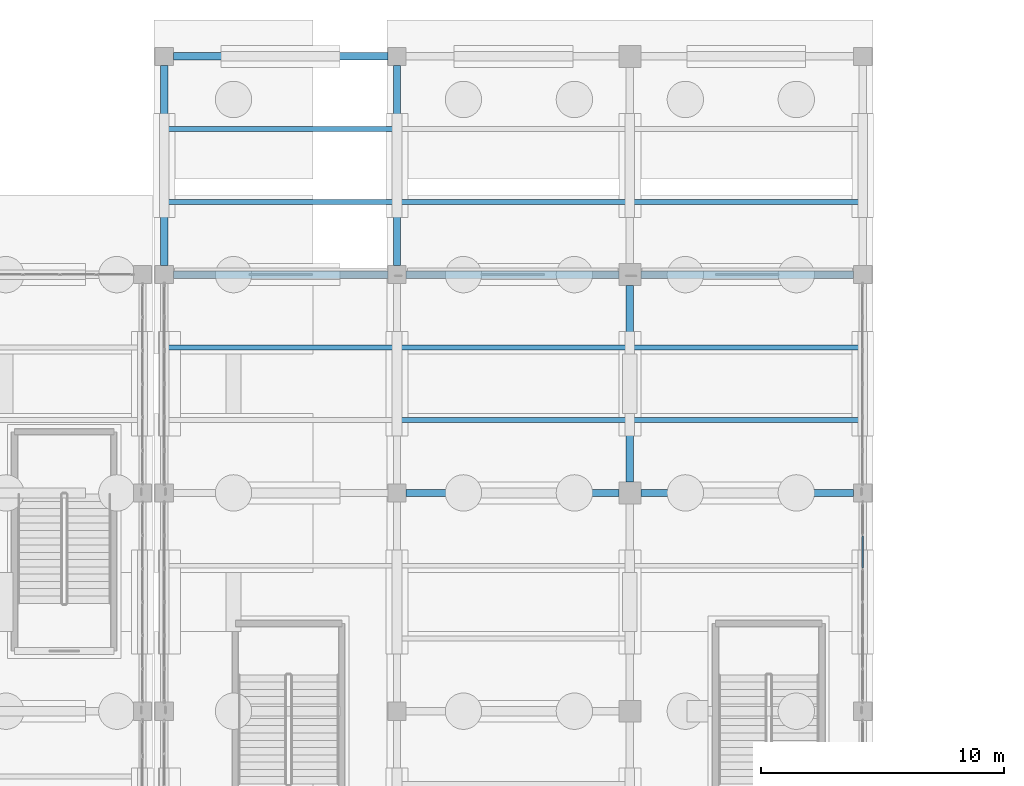
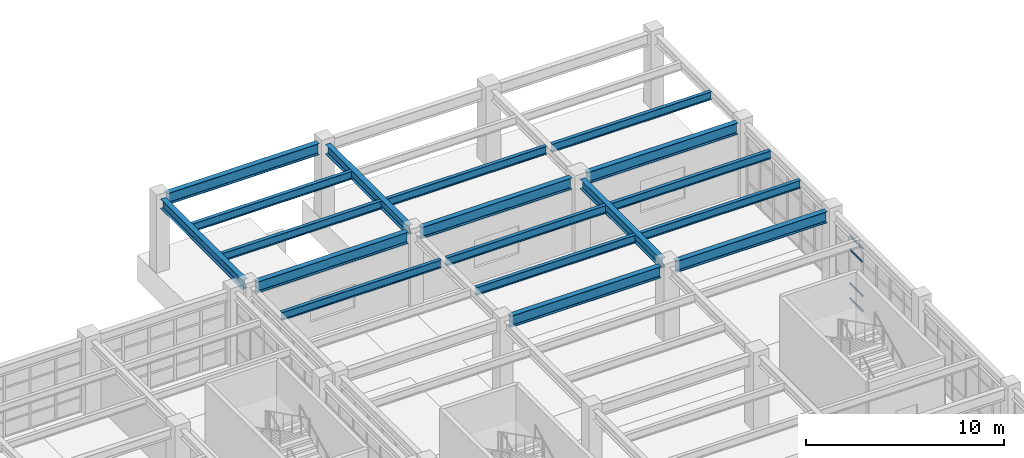
# One storey, part 83 of 139: 18 beams, 4 members, 1 element without a shape of its own.
"""IFC4 building model written with IfcOpenShell, lengths in metres."""

from ifc_helpers import new_model, si_unit, direction, frame, origin, origin_2d, place, context, subcontext, project, spatial, hollow_rectangle, i_section, extrude, material, material_profile, profile_set, type_object, element, aggregate, save


model = new_model("IFC4")

# Units and contexts
model_context = context("Model", 3, precision=1e-05, world=origin(), true_north=direction((0.0, 1.0)))
body_context = subcontext(model_context, "Body", "Model", "MODEL_VIEW")
ifc_project = project(units=[si_unit("LENGTHUNIT", "METRE"), si_unit("AREAUNIT", "SQUARE_METRE"), si_unit("VOLUMEUNIT", "CUBIC_METRE"), si_unit("PLANEANGLEUNIT", "RADIAN"), si_unit("MASSUNIT", "GRAM", prefix="KILO")], contexts=[model_context])

# Site, building, storey
site_placement = place(None, origin())
site = spatial("IfcSite", under=ifc_project, at=site_placement, CompositionType="ELEMENT")
building_placement = place(site_placement, origin())
building = spatial("IfcBuilding", under=site, at=building_placement, Name="Canglan Escarpment Cableway Terminal", CompositionType="ELEMENT")
storey_placement = place(building_placement, frame((0.0, 0.0, 14.39990234375)))
storey = spatial("IfcBuildingStorey", under=building, at=storey_placement, Name="L03", CompositionType="ELEMENT", Elevation=14.39990234375)

# Beams
ifc_material_1 = material(Name="Steel Q355C", Category="steel")
ifc_material_profile_1 = material_profile(ifc_material_1, i_section(OverallWidth=0.302001953125, OverallDepth=0.593994140625, WebThickness=0.013916015625, FlangeThickness=0.02294921875, FilletRadius=0.028076171875, at=origin_2d()), Name="HM 594x302x14x23")
ifc_profile_set_1 = profile_set([ifc_material_profile_1], Name="Steel Q355C")
beam_type_1 = type_object("IfcBeamType", Name="BM-HM594", PredefinedType="BEAM", material=ifc_profile_set_1)
for number, where, z_axis, x_axis, name in (
    (1, (137.60009765625, 115.375, 4.203125), (0.0, 1.0, 0.0), (-1.0, 0.0, 0.0), "Primary transverse girder B-07"),
    (2, (147.199951171875, 115.375, 4.203125), (0.0, 1.0, 0.0), (-1.0, 0.0, 0.0), "Primary transverse girder B-07"),
):
    element("IfcBeam", number, at=place(storey_placement, frame(where, z_axis=z_axis, x_axis=x_axis)), inside=storey, type_object=beam_type_1, Name=name, PredefinedType="BEAM", context=body_context, shape_type="SweptSolid", body=[
        extrude(i_section(OverallWidth=0.302001953125, OverallDepth=0.593994140625, WebThickness=0.013916015625, FlangeThickness=0.02294921875, FilletRadius=0.028076171875, at=origin_2d()), origin(), (0.0, 0.0, 1.0), 8.25),
    ])
beam_1_placement = place(storey_placement, frame((156.800048828125, 106.449951171875, 4.203125), z_axis=(0.0, 1.0, 0.0), x_axis=(-1.0, 0.0, 0.0)))
element("IfcBeam", 3, at=beam_1_placement, inside=storey, type_object=beam_type_1, Name="Primary transverse girder B-07", PredefinedType="BEAM", context=body_context, shape_type="SweptSolid", body=[
    extrude(i_section(OverallWidth=0.302001953125, OverallDepth=0.593994140625, WebThickness=0.013916015625, FlangeThickness=0.02294921875, FilletRadius=0.028076171875, at=origin_2d()), origin(), (0.0, 0.0, 1.0), 8.10009765625),
])
ifc_material_profile_2 = material_profile(ifc_material_1, i_section(OverallWidth=0.300048828125, OverallDepth=0.699951171875, WebThickness=0.012939453125, FlangeThickness=0.02392578125, FilletRadius=0.028076171875, at=origin_2d()), Name="HN 700x300x13x24")
ifc_profile_set_2 = profile_set([ifc_material_profile_2], Name="Steel Q355C")
beam_type_2 = type_object("IfcBeamType", Name="BM-HN700", PredefinedType="BEAM", material=ifc_profile_set_2)
beam_2_placement = place(storey_placement, frame((147.574951171875, 106.0, 4.150146484375), z_axis=(1.0, 0.0, 0.0), x_axis=(0.0, 1.0, 0.0)))
element("IfcBeam", 4, at=beam_2_placement, inside=storey, type_object=beam_type_2, Name="Primary structural girder B-06", PredefinedType="BEAM", context=body_context, shape_type="SweptSolid", body=[
    extrude(i_section(OverallWidth=0.300048828125, OverallDepth=0.699951171875, WebThickness=0.012939453125, FlangeThickness=0.02392578125, FilletRadius=0.028076171875, at=origin_2d()), origin(), (0.0, 0.0, 1.0), 8.775146484375),
])
beam_3_placement = place(storey_placement, frame((157.25, 106.0, 4.150146484375), z_axis=(1.0, 0.0, 0.0), x_axis=(0.0, 1.0, 0.0)))
element("IfcBeam", 5, at=beam_3_placement, inside=storey, type_object=beam_type_2, Name="Primary structural girder B-06", PredefinedType="BEAM", context=body_context, shape_type="SweptSolid", body=[
    extrude(i_section(OverallWidth=0.300048828125, OverallDepth=0.699951171875, WebThickness=0.012939453125, FlangeThickness=0.02392578125, FilletRadius=0.028076171875, at=origin_2d()), origin(), (0.0, 0.0, 1.0), 8.77490234375),
])
beam_4_placement = place(storey_placement, frame((137.97509765625, 115.0, 4.150146484375), z_axis=(1.0, 0.0, 0.0), x_axis=(0.0, 1.0, 0.0)))
element("IfcBeam", 6, at=beam_4_placement, inside=storey, type_object=beam_type_2, Name="Primary structural girder B-06", PredefinedType="BEAM", context=body_context, shape_type="SweptSolid", body=[
    extrude(i_section(OverallWidth=0.300048828125, OverallDepth=0.699951171875, WebThickness=0.012939453125, FlangeThickness=0.02392578125, FilletRadius=0.028076171875, at=origin_2d()), origin(), (0.0, 0.0, 1.0), 8.849853515625),
])
beam_5_placement = place(storey_placement, frame((147.574951171875, 115.0, 4.150146484375), z_axis=(1.0, 0.0, 0.0), x_axis=(0.0, 1.0, 0.0)))
element("IfcBeam", 7, at=beam_5_placement, inside=storey, type_object=beam_type_2, Name="Primary structural girder B-06", PredefinedType="BEAM", context=body_context, shape_type="SweptSolid", body=[
    extrude(i_section(OverallWidth=0.300048828125, OverallDepth=0.699951171875, WebThickness=0.012939453125, FlangeThickness=0.02392578125, FilletRadius=0.028076171875, at=origin_2d()), origin(), (0.0, 0.0, 1.0), 8.775146484375),
])
beam_6_placement = place(storey_placement, frame((157.25, 115.0, 4.150146484375), z_axis=(1.0, 0.0, 0.0), x_axis=(0.0, 1.0, 0.0)))
element("IfcBeam", 8, at=beam_6_placement, inside=storey, type_object=beam_type_2, Name="Primary structural girder B-06", PredefinedType="BEAM", context=body_context, shape_type="SweptSolid", body=[
    extrude(i_section(OverallWidth=0.300048828125, OverallDepth=0.699951171875, WebThickness=0.012939453125, FlangeThickness=0.02392578125, FilletRadius=0.028076171875, at=origin_2d()), origin(), (0.0, 0.0, 1.0), 8.77490234375),
])
beam_7_placement = place(storey_placement, frame((137.97509765625, 124.0, 4.150146484375), z_axis=(1.0, 0.0, 0.0), x_axis=(0.0, 1.0, 0.0)))
element("IfcBeam", 9, at=beam_7_placement, inside=storey, type_object=beam_type_2, Name="Primary structural girder B-06", PredefinedType="BEAM", context=body_context, shape_type="SweptSolid", body=[
    extrude(i_section(OverallWidth=0.300048828125, OverallDepth=0.699951171875, WebThickness=0.012939453125, FlangeThickness=0.02392578125, FilletRadius=0.028076171875, at=origin_2d()), origin(), (0.0, 0.0, 1.0), 8.849853515625),
])

# Curtain wall, members
ifc_material_2 = material(Name="Anodized bronze aluminium and Low-E double glazing", Category="aluminium")
curtain_wall_type = type_object("IfcCurtainWallType", Name="CW-BAY-8250x3900", PredefinedType="NOTDEFINED", material=ifc_material_2)
curtain_wall_placement = place(storey_placement, origin())
curtain_wall = element("IfcCurtainWall", 10, at=curtain_wall_placement, inside=storey, type_object=curtain_wall_type, Name="Classical bay-between-piers glazed curtain wall CW-62", PredefinedType="NOTDEFINED")
ifc_material_3 = material(Name="Thermally broken anodized aluminium 6063-T6", Category="aluminium")
ifc_material_profile_3 = material_profile(ifc_material_3, hollow_rectangle(XDim=0.06005859375, YDim=0.110107421875, WallThickness=0.0029296875, InnerFilletRadius=0.0029296875, OuterFilletRadius=0.006103515625, at=origin_2d()), Name="ALU-TRAN 60x110x3")
ifc_profile_set_3 = profile_set([ifc_material_profile_3], Name="Thermally broken anodized aluminium 6063-T6")
member_type = type_object("IfcMemberType", Name="CWT-02", PredefinedType="USERDEFINED", material=ifc_profile_set_3)
member_1_placement = place(storey_placement, frame((166.39990234375, 102.907470703125, 0.030029296875), z_axis=(0.0, 1.0, 0.0), x_axis=(-1.0, 0.0, 0.0)))
member_1 = element("IfcMember", 11, at=member_1_placement, type_object=member_type, Name="CW-62 transom 5.1", ObjectType="TRANSOM", PredefinedType="USERDEFINED", context=body_context, shape_type="SweptSolid", body=[
    extrude(hollow_rectangle(XDim=0.06005859375, YDim=0.110107421875, WallThickness=0.0029296875, InnerFilletRadius=0.0029296875, OuterFilletRadius=0.006103515625, at=origin_2d()), origin(), (0.0, 0.0, 1.0), 1.31005859375),
])
member_2_placement = place(storey_placement, frame((166.39990234375, 102.907470703125, 0.9501953125), z_axis=(0.0, 1.0, 0.0), x_axis=(-1.0, 0.0, 0.0)))
member_2 = element("IfcMember", 12, at=member_2_placement, type_object=member_type, Name="CW-62 transom 5.2", ObjectType="TRANSOM", PredefinedType="USERDEFINED", context=body_context, shape_type="SweptSolid", body=[
    extrude(hollow_rectangle(XDim=0.06005859375, YDim=0.110107421875, WallThickness=0.0029296875, InnerFilletRadius=0.0029296875, OuterFilletRadius=0.006103515625, at=origin_2d()), origin(), (0.0, 0.0, 1.0), 1.31005859375),
])
member_3_placement = place(storey_placement, frame((166.39990234375, 102.907470703125, 3.041015625), z_axis=(0.0, 1.0, 0.0), x_axis=(-1.0, 0.0, 0.0)))
member_3 = element("IfcMember", 13, at=member_3_placement, type_object=member_type, Name="CW-62 transom 5.3", ObjectType="TRANSOM", PredefinedType="USERDEFINED", context=body_context, shape_type="SweptSolid", body=[
    extrude(hollow_rectangle(XDim=0.06005859375, YDim=0.110107421875, WallThickness=0.0029296875, InnerFilletRadius=0.0029296875, OuterFilletRadius=0.006103515625, at=origin_2d()), origin(), (0.0, 0.0, 1.0), 1.31005859375),
])
member_4_placement = place(storey_placement, frame((166.39990234375, 102.907470703125, 3.861083984375), z_axis=(0.0, 1.0, 0.0), x_axis=(-1.0, 0.0, 0.0)))
member_4 = element("IfcMember", 14, at=member_4_placement, type_object=member_type, Name="CW-62 transom 5.4", ObjectType="TRANSOM", PredefinedType="USERDEFINED", context=body_context, shape_type="SweptSolid", body=[
    extrude(hollow_rectangle(XDim=0.06005859375, YDim=0.110107421875, WallThickness=0.0029296875, InnerFilletRadius=0.0029296875, OuterFilletRadius=0.006103515625, at=origin_2d()), origin(), (0.0, 0.0, 1.0), 1.31005859375),
])
aggregate(curtain_wall, [member_1, member_2, member_3, member_4])

# Beams
ifc_material_4 = material(Name="Steel Q355B", Category="steel")
ifc_material_profile_4 = material_profile(ifc_material_4, i_section(OverallWidth=0.199951171875, OverallDepth=0.5, WebThickness=0.010009765625, FlangeThickness=0.01611328125, FilletRadius=0.02001953125, at=origin_2d()), Name="HN 500x200x10x16")
ifc_profile_set_4 = profile_set([ifc_material_profile_4], Name="Steel Q355B")
beam_type_3 = type_object("IfcBeamType", Name="JS-HN500", PredefinedType="JOIST", material=ifc_profile_set_4)
for number, where, z_axis, x_axis, name in (
    (15, (137.7509765625, 112.0, 4.25), (1.0, 0.0, 0.0), (0.0, 1.0, 0.0), "Secondary composite deck joist J-01"),
    (16, (137.7509765625, 118.0, 4.25), (1.0, 0.0, 0.0), (0.0, 1.0, 0.0), "Secondary composite deck joist J-01"),
    (17, (137.7509765625, 121.0, 4.25), (1.0, 0.0, 0.0), (0.0, 1.0, 0.0), "Secondary composite deck joist J-01"),
):
    element("IfcBeam", number, at=place(storey_placement, frame(where, z_axis=z_axis, x_axis=x_axis)), inside=storey, type_object=beam_type_3, Name=name, PredefinedType="JOIST", context=body_context, shape_type="SweptSolid", body=[
        extrude(i_section(OverallWidth=0.199951171875, OverallDepth=0.5, WebThickness=0.010009765625, FlangeThickness=0.01611328125, FilletRadius=0.02001953125, at=origin_2d()), origin(), (0.0, 0.0, 1.0), 9.298095703125),
    ])
for number, where, z_axis, x_axis, name in (
    (18, (147.35107421875, 109.0, 4.25), (1.0, 0.0, 0.0), (0.0, 1.0, 0.0), "Secondary composite deck joist J-01"),
    (19, (147.35107421875, 112.0, 4.25), (1.0, 0.0, 0.0), (0.0, 1.0, 0.0), "Secondary composite deck joist J-01"),
    (20, (147.35107421875, 118.0, 4.25), (1.0, 0.0, 0.0), (0.0, 1.0, 0.0), "Secondary composite deck joist J-01"),
):
    element("IfcBeam", number, at=place(storey_placement, frame(where, z_axis=z_axis, x_axis=x_axis)), inside=storey, type_object=beam_type_3, Name=name, PredefinedType="JOIST", context=body_context, shape_type="SweptSolid", body=[
        extrude(i_section(OverallWidth=0.199951171875, OverallDepth=0.5, WebThickness=0.010009765625, FlangeThickness=0.01611328125, FilletRadius=0.02001953125, at=origin_2d()), origin(), (0.0, 0.0, 1.0), 9.2978515625),
    ])
for number, where, z_axis, x_axis, name in (
    (21, (156.950927734375, 109.0, 4.25), (1.0, 0.0, 0.0), (0.0, 1.0, 0.0), "Secondary composite deck joist J-01"),
    (22, (156.950927734375, 112.0, 4.25), (1.0, 0.0, 0.0), (0.0, 1.0, 0.0), "Secondary composite deck joist J-01"),
    (23, (156.950927734375, 118.0, 4.25), (1.0, 0.0, 0.0), (0.0, 1.0, 0.0), "Secondary composite deck joist J-01"),
):
    element("IfcBeam", number, at=place(storey_placement, frame(where, z_axis=z_axis, x_axis=x_axis)), inside=storey, type_object=beam_type_3, Name=name, PredefinedType="JOIST", context=body_context, shape_type="SweptSolid", body=[
        extrude(i_section(OverallWidth=0.199951171875, OverallDepth=0.5, WebThickness=0.010009765625, FlangeThickness=0.01611328125, FilletRadius=0.02001953125, at=origin_2d()), origin(), (0.0, 0.0, 1.0), 9.298095703125),
    ])

save(model, "model.ifc")
